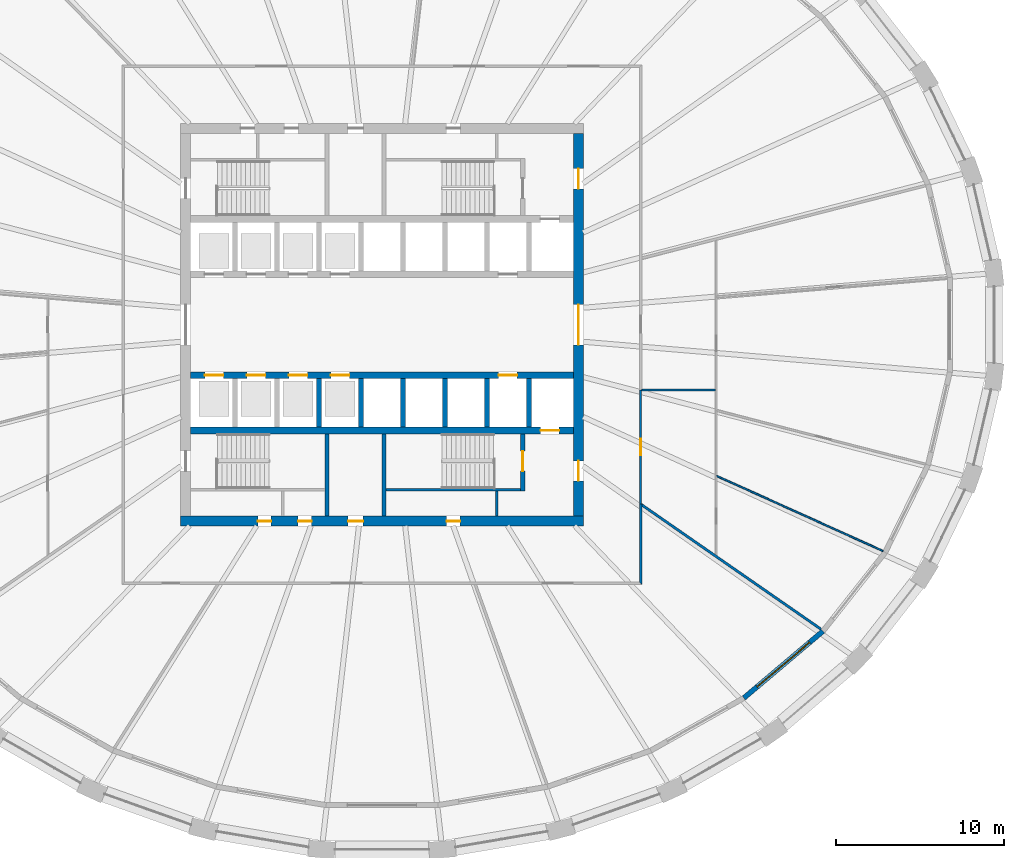
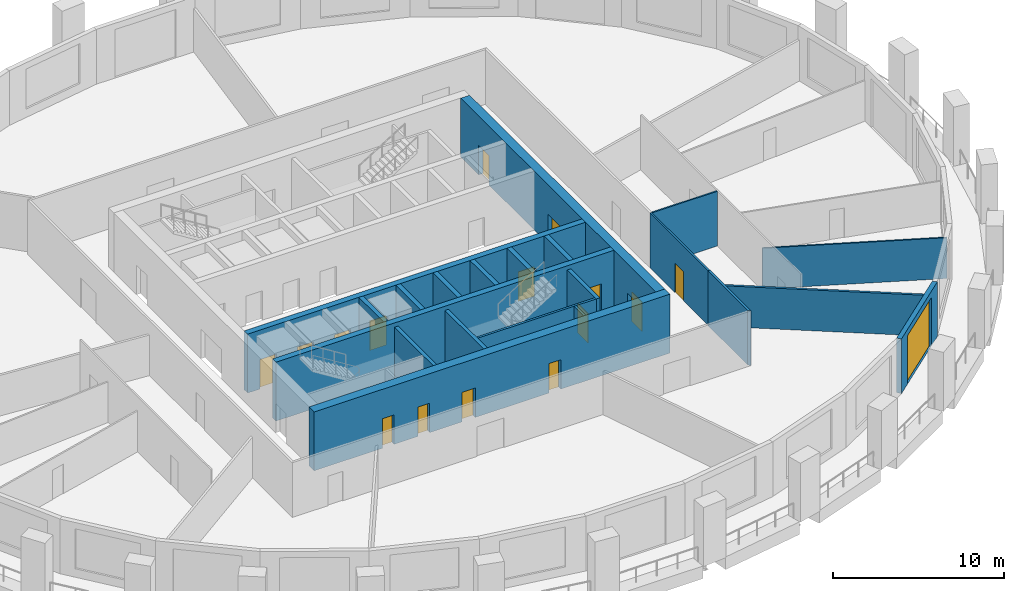
# One storey, part 4 of 11: 21 walls, 16 doors, 16 openings.
"""IFC4 building model written with IfcOpenShell, lengths in metres."""

from ifc_helpers import new_model, si_unit, direction, frame, frame_2d, origin, place, context, subcontext, project, spatial, polyline, rectangle, outline, extrude, material, layer, layer_set, type_object, element, fill, save


model = new_model("IFC4")

# Units and contexts
model_context = context("Model", 3, precision=1e-05, world=origin(), true_north=direction((0.0, 1.0)))
body_context = subcontext(model_context, "Body", "Model", "MODEL_VIEW")
ifc_project = project(units=[si_unit("LENGTHUNIT", "METRE"), si_unit("AREAUNIT", "SQUARE_METRE"), si_unit("VOLUMEUNIT", "CUBIC_METRE"), si_unit("PLANEANGLEUNIT", "RADIAN"), si_unit("MASSUNIT", "GRAM", prefix="KILO")], contexts=[model_context])

# Site, building, storey
site_placement = place(None, origin())
site = spatial("IfcSite", under=ifc_project, at=site_placement, CompositionType="ELEMENT")
building_placement = place(site_placement, origin())
building = spatial("IfcBuilding", under=site, at=building_placement, Name="Halqa Exchange Tower", CompositionType="ELEMENT")
storey_placement = place(building_placement, frame((0.0, 0.0, 73.89990234375)))
storey = spatial("IfcBuildingStorey", under=building, at=storey_placement, Name="L16", CompositionType="ELEMENT", Elevation=73.89990234375)

# Walls
ifc_material_1 = material(Name="Fire-rated gypsum board")
ifc_layer_1 = layer(ifc_material_1, 0.14990234375)
ifc_layer_set_1 = layer_set([ifc_layer_1], Name="Fire-rated gypsum board")
wall_type_1 = type_object("IfcWallType", Name="Fire partition EI 60 150", PredefinedType="PARTITIONING", material=ifc_layer_set_1)
wall_1_placement = place(storey_placement, frame((15.39990234375, -10.679931640625, 0.0), z_axis=(0.0, 0.0, 1.0), x_axis=(0.0, -1.0, 0.0)))
element("IfcWall", 1, at=wall_1_placement, inside=storey, type_object=wall_type_1, Name="L16-PWL-013", PredefinedType="PARTITIONING", context=body_context, shape_type="SweptSolid", body=[
    extrude(outline(polyline([(0.0, -0.074951171875), (1.54833984375, -0.074951171875), (3.0966796875, -0.074951171875), (4.64501953125, -0.074951171875), (4.794921875, 0.074951171875), (3.196533203125, 0.074951171875), (1.598388671875, 0.074951171875), (0.0, 0.074951171875), (0.0, -0.074951171875)])), origin(), (0.0, 0.0, 1.0), 3.900146484375),
])
wall_2_placement = place(storey_placement, frame((15.417724609375, -10.6923828125, 0.0), z_axis=(0.0, 0.0, 1.0), x_axis=(0.821683258501, -0.569944403166, 0.0)))
element("IfcWall", 2, at=wall_2_placement, inside=storey, type_object=wall_type_1, Name="L16-PWL-014", PredefinedType="PARTITIONING", context=body_context, shape_type="SweptSolid", body=[
    extrude(outline(polyline([(13.046875, 0.074951171875), (11.12158203125, 0.074951171875), (9.1962890625, 0.074951171875), (7.27099609375, 0.074951171875), (5.345703125, 0.074951171875), (5.34326171875, 0.0732421875), (5.342041015625, 0.074951171875), (3.5615234375, 0.074951171875), (1.78076171875, 0.074951171875), (0.0, 0.074951171875), (0.0, 0.07421875), (0.027587890625, 0.0341796875), (0.0400390625, 0.042724609375), (0.12158203125, -0.074951171875), (1.96826171875, -0.074951171875), (3.814697265625, -0.074951171875), (5.6611328125, -0.074951171875), (7.507568359375, -0.074951171875), (9.35400390625, -0.074951171875), (11.200439453125, -0.074951171875), (13.046875, -0.074951171875), (13.046875, 0.074951171875)])), origin(), (0.0, 0.0, 1.0), 2.91015625),
])

# Wall, opening, door
ifc_material_2 = material(Name="Fire-rated glazing", Category="glass")
ifc_layer_2 = layer(ifc_material_2, 0.1201171875)
ifc_layer_set_2 = layer_set([ifc_layer_2], Name="Fire-rated glazing")
wall_type_2 = type_object("IfcWallType", Name="Glazed fire partition EI 60 120", PredefinedType="PARTITIONING", material=ifc_layer_set_2)
wall_3_placement = place(storey_placement, frame((15.39990234375, -3.889892578125, 0.0), z_axis=(0.0, 0.0, 1.0), x_axis=(0.0, -1.0, 0.0)))
wall_3 = element("IfcWall", 3, at=wall_3_placement, inside=storey, type_object=wall_type_2, Name="L16-PWL-015", PredefinedType="PARTITIONING", context=body_context, shape_type="SweptSolid", body=[
    extrude(rectangle(XDim=6.7900390625, YDim=0.1201171875, at=frame_2d((3.39501953125, 0.0))), origin(), (0.0, 0.0, 1.0), 3.900146484375),
])
opening_1_placement = place(wall_3_placement, frame((2.89501953125, 0.0, 0.0)))
opening_1 = element("IfcOpeningElement", 4, at=opening_1_placement, cuts=wall_3, Name="Opening 05-05", PredefinedType="OPENING", context=body_context, shape_type="SweptSolid", body=[
    extrude(rectangle(XDim=1.0, YDim=2.10009765625, at=frame_2d((0.5, 1.050048828125))), frame((0.0, 0.072021484375, 0.0), z_axis=(0.0, -1.0, 0.0), x_axis=(1.0, 0.0, 0.0)), (0.0, 0.0, 1.0), 0.14404296875),
])
ifc_material_3 = material(Name="Steel fire door leaf", Category="steel")
door_type_1 = type_object("IfcDoorType", Name="Fire door FD30S 1000 x 2100", OperationType="SINGLE_SWING_LEFT", PredefinedType="DOOR", material=ifc_material_3)
door_1_placement = place(opening_1_placement, origin())
door_1 = element("IfcDoor", 5, at=door_1_placement, inside=storey, type_object=door_type_1, Name="L16-IDR-005", OperationType="SINGLE_SWING_LEFT", OverallHeight=2.10009765625, OverallWidth=1.0, PredefinedType="DOOR", context=body_context, shape_type="SweptSolid", body=[
    extrude(rectangle(XDim=1.0, YDim=2.10009765625, at=frame_2d((0.5, 1.050048828125))), frame((0.0, 0.02490234375, 0.0), z_axis=(0.0, -1.0, 0.0), x_axis=(1.0, 0.0, 0.0)), (0.0, 0.0, 1.0), 0.050048828125),
])
fill(opening_1, door_1)

# Walls
ifc_material_4 = material(Name="Gypsum board")
ifc_layer_3 = layer(ifc_material_4, 0.10009765625)
ifc_layer_set_3 = layer_set([ifc_layer_3], Name="Gypsum board")
wall_type_3 = type_object("IfcWallType", Name="Partition 100 gypsum", PredefinedType="PARTITIONING", material=ifc_layer_set_3)
wall_4_placement = place(storey_placement, frame((15.46044921875, -3.889892578125, 0.0), z_axis=(0.0, 0.0, 1.0), x_axis=(1.0, 0.0, 0.0)))
element("IfcWall", 6, at=wall_4_placement, inside=storey, type_object=wall_type_3, Name="L16-PWL-017", PredefinedType="PARTITIONING", context=body_context, shape_type="SweptSolid", body=[
    extrude(outline(polyline([(0.0, -0.050048828125), (1.463134765625, -0.050048828125), (2.92626953125, -0.050048828125), (4.3896484375, -0.050048828125), (4.3896484375, 0.050048828125), (2.93115234375, 0.050048828125), (1.472900390625, 0.050048828125), (0.0146484375, 0.050048828125), (0.0146484375, 0.0), (0.0, 0.0), (0.0, -0.050048828125)])), origin(), (0.0, 0.0, 1.0), 3.900146484375),
])
wall_5_placement = place(storey_placement, frame((19.9296875, -9.00341796875, 0.0), z_axis=(0.0, 0.0, 1.0), x_axis=(0.911407001064, -0.41150610981, 0.0)))
element("IfcWall", 7, at=wall_5_placement, inside=storey, type_object=wall_type_3, Name="L16-PWL-020", PredefinedType="PARTITIONING", context=body_context, shape_type="SweptSolid", body=[
    extrude(outline(polyline([(0.044921875, -0.050048828125), (1.847412109375, -0.050048828125), (3.650146484375, -0.050048828125), (5.45263671875, -0.050048828125), (7.25537109375, -0.050048828125), (9.057861328125, -0.050048828125), (10.860595703125, -0.050048828125), (10.8720703125, -0.004150390625), (10.873779296875, 0.050048828125), (9.0615234375, 0.050048828125), (7.249267578125, 0.050048828125), (5.436767578125, 0.050048828125), (3.62451171875, 0.050048828125), (1.812255859375, 0.050048828125), (0.0, 0.050048828125), (0.0, 0.04931640625), (0.044921875, -0.050048828125)])), origin(), (0.0, 0.0, 1.0), 2.91015625),
])
ifc_layer_4 = layer(ifc_material_4, 0.14990234375)
ifc_layer_set_4 = layer_set([ifc_layer_4], Name="Gypsum board")
wall_type_4 = type_object("IfcWallType", Name="Penthouse riser wall 150 gypsum", PredefinedType="PARTITIONING", material=ifc_layer_set_4)
wall_6_placement = place(storey_placement, frame((6.824951171875, -11.39990234375, 0.0), z_axis=(0.0, 0.0, 1.0), x_axis=(0.0, 1.0, 0.0)))
element("IfcWall", 8, at=wall_6_placement, inside=storey, type_object=wall_type_4, Name="Firefighting lobby west wall S", PredefinedType="PARTITIONING", context=body_context, shape_type="SweptSolid", body=[
    extrude(rectangle(XDim=1.5, YDim=0.14990234375, at=frame_2d((0.75, 0.0))), origin(), (0.0, 0.0, 1.0), 3.900146484375),
])
ifc_material_5 = material(Name="Concrete C60/75", Category="concrete")
ifc_layer_5 = layer(ifc_material_5, 0.300048828125)
ifc_layer_set_5 = layer_set([ifc_layer_5], Name="Concrete C60/75")
wall_type_5 = type_object("IfcWallType", Name="RC core wall 300", PredefinedType="SHEAR", material=ifc_layer_set_5)
for number, where, z_axis, x_axis, name in (
    (9, (-3.75, -6.10009765625, 0.0), (0.0, 0.0, 1.0), (0.0, 1.0, 0.0), "Shaft divider S3"),
    (10, (-1.25, -6.10009765625, 0.0), (0.0, 0.0, 1.0), (0.0, 1.0, 0.0), "Shaft divider S4"),
    (11, (1.25, -6.10009765625, 0.0), (0.0, 0.0, 1.0), (0.0, 1.0, 0.0), "Shaft divider S5"),
    (12, (3.75, -6.10009765625, 0.0), (0.0, 0.0, 1.0), (0.0, 1.0, 0.0), "Shaft divider S6"),
    (13, (6.25, -6.10009765625, 0.0), (0.0, 0.0, 1.0), (0.0, 1.0, 0.0), "Shaft divider S7"),
    (14, (8.75, -6.10009765625, 0.0), (0.0, 0.0, 1.0), (0.0, 1.0, 0.0), "Shaft divider S8"),
):
    element("IfcWall", number, at=place(storey_placement, frame(where, z_axis=z_axis, x_axis=x_axis)), inside=storey, type_object=wall_type_5, Name=name, PredefinedType="SHEAR", context=body_context, shape_type="SweptSolid", body=[
        extrude(rectangle(XDim=2.900146484375, YDim=0.300048828125, at=frame_2d((1.4501953125, 0.0))), origin(), (0.0, 0.0, 1.0), 4.2001953125),
    ])

# Wall, openings, doors
ifc_material_6 = material(Name="Concrete C80/95", Category="concrete")
ifc_layer_6 = layer(ifc_material_6, 0.39990234375)
ifc_layer_set_6 = layer_set([ifc_layer_6], Name="Concrete C80/95")
wall_type_6 = type_object("IfcWallType", Name="RC core wall 400 C80/95", PredefinedType="SHEAR", material=ifc_layer_set_6)
wall_7_placement = place(storey_placement, frame((-11.39990234375, -3.0, 0.0), z_axis=(0.0, 0.0, 1.0), x_axis=(1.0, 0.0, 0.0)))
wall_7 = element("IfcWall", 15, at=wall_7_placement, inside=storey, type_object=wall_type_6, Name="Lift row front wall S", PredefinedType="SHEAR", context=body_context, shape_type="SweptSolid", body=[
    extrude(rectangle(XDim=22.7998046875, YDim=0.39990234375, at=frame_2d((11.39990234375, 0.0))), origin(), (0.0, 0.0, 1.0), 4.2001953125),
])
opening_2_placement = place(wall_7_placement, frame((0.85009765625, 0.0, 0.0)))
opening_2 = element("IfcOpeningElement", 16, at=opening_2_placement, cuts=wall_7, Name="Opening LD-LR5-T05", PredefinedType="OPENING", context=body_context, shape_type="SweptSolid", body=[
    extrude(rectangle(XDim=1.10009765625, YDim=2.10009765625, at=frame_2d((0.550048828125, 1.050048828125))), frame((0.0, 0.2119140625, 0.0), z_axis=(0.0, -1.0, 0.0), x_axis=(1.0, 0.0, 0.0)), (0.0, 0.0, 1.0), 0.423828125),
])
opening_3_placement = place(wall_7_placement, frame((3.35009765625, 0.0, 0.0)))
opening_3 = element("IfcOpeningElement", 17, at=opening_3_placement, cuts=wall_7, Name="Opening LD-LR6-T05", PredefinedType="OPENING", context=body_context, shape_type="SweptSolid", body=[
    extrude(rectangle(XDim=1.10009765625, YDim=2.10009765625, at=frame_2d((0.550048828125, 1.050048828125))), frame((0.0, 0.2119140625, 0.0), z_axis=(0.0, -1.0, 0.0), x_axis=(1.0, 0.0, 0.0)), (0.0, 0.0, 1.0), 0.423828125),
])
opening_4_placement = place(wall_7_placement, frame((5.85009765625, 0.0, 0.0)))
opening_4 = element("IfcOpeningElement", 18, at=opening_4_placement, cuts=wall_7, Name="Opening LD-LR7-T05", PredefinedType="OPENING", context=body_context, shape_type="SweptSolid", body=[
    extrude(rectangle(XDim=1.10009765625, YDim=2.10009765625, at=frame_2d((0.550048828125, 1.050048828125))), frame((0.0, 0.2119140625, 0.0), z_axis=(0.0, -1.0, 0.0), x_axis=(1.0, 0.0, 0.0)), (0.0, 0.0, 1.0), 0.423828125),
])
opening_5_placement = place(wall_7_placement, frame((8.35009765625, 0.0, 0.0)))
opening_5 = element("IfcOpeningElement", 19, at=opening_5_placement, cuts=wall_7, Name="Opening LD-LR8-T05", PredefinedType="OPENING", context=body_context, shape_type="SweptSolid", body=[
    extrude(rectangle(XDim=1.10009765625, YDim=2.10009765625, at=frame_2d((0.550048828125, 1.050048828125))), frame((0.0, 0.2119140625, 0.0), z_axis=(0.0, -1.0, 0.0), x_axis=(1.0, 0.0, 0.0)), (0.0, 0.0, 1.0), 0.423828125),
])
opening_6_placement = place(wall_7_placement, frame((18.35009765625, 0.0, 0.0)))
opening_6 = element("IfcOpeningElement", 20, at=opening_6_placement, cuts=wall_7, Name="Opening LD-SV2-T05", PredefinedType="OPENING", context=body_context, shape_type="SweptSolid", body=[
    extrude(rectangle(XDim=1.10009765625, YDim=2.10009765625, at=frame_2d((0.550048828125, 1.050048828125))), frame((0.0, 0.2119140625, 0.0), z_axis=(0.0, -1.0, 0.0), x_axis=(1.0, 0.0, 0.0)), (0.0, 0.0, 1.0), 0.423828125),
])
ifc_material_7 = material(Name="Stainless steel", Category="steel")
door_type_2 = type_object("IfcDoorType", Name="Lift landing door 1100 x 2100", OperationType="SLIDING_TO_LEFT", PredefinedType="DOOR", material=ifc_material_7)
door_2_placement = place(opening_2_placement, origin())
door_2 = element("IfcDoor", 21, at=door_2_placement, inside=storey, type_object=door_type_2, Name="Lift landing door LR5", OperationType="SLIDING_TO_LEFT", OverallHeight=2.10009765625, OverallWidth=1.10009765625, PredefinedType="DOOR", context=body_context, shape_type="SweptSolid", body=[
    extrude(rectangle(XDim=1.10009765625, YDim=2.10009765625, at=frame_2d((0.550048828125, 1.050048828125))), frame((0.0, 0.02490234375, 0.0), z_axis=(0.0, -1.0, 0.0), x_axis=(1.0, 0.0, 0.0)), (0.0, 0.0, 1.0), 0.050048828125),
])
fill(opening_2, door_2)
door_3_placement = place(opening_3_placement, origin())
door_3 = element("IfcDoor", 22, at=door_3_placement, inside=storey, type_object=door_type_2, Name="Lift landing door LR6", OperationType="SLIDING_TO_LEFT", OverallHeight=2.10009765625, OverallWidth=1.10009765625, PredefinedType="DOOR", context=body_context, shape_type="SweptSolid", body=[
    extrude(rectangle(XDim=1.10009765625, YDim=2.10009765625, at=frame_2d((0.550048828125, 1.050048828125))), frame((0.0, 0.02490234375, 0.0), z_axis=(0.0, -1.0, 0.0), x_axis=(1.0, 0.0, 0.0)), (0.0, 0.0, 1.0), 0.050048828125),
])
fill(opening_3, door_3)
door_4_placement = place(opening_4_placement, origin())
door_4 = element("IfcDoor", 23, at=door_4_placement, inside=storey, type_object=door_type_2, Name="Lift landing door LR7", OperationType="SLIDING_TO_LEFT", OverallHeight=2.10009765625, OverallWidth=1.10009765625, PredefinedType="DOOR", context=body_context, shape_type="SweptSolid", body=[
    extrude(rectangle(XDim=1.10009765625, YDim=2.10009765625, at=frame_2d((0.550048828125, 1.050048828125))), frame((0.0, 0.02490234375, 0.0), z_axis=(0.0, -1.0, 0.0), x_axis=(1.0, 0.0, 0.0)), (0.0, 0.0, 1.0), 0.050048828125),
])
fill(opening_4, door_4)
door_5_placement = place(opening_5_placement, origin())
door_5 = element("IfcDoor", 24, at=door_5_placement, inside=storey, type_object=door_type_2, Name="Lift landing door LR8", OperationType="SLIDING_TO_LEFT", OverallHeight=2.10009765625, OverallWidth=1.10009765625, PredefinedType="DOOR", context=body_context, shape_type="SweptSolid", body=[
    extrude(rectangle(XDim=1.10009765625, YDim=2.10009765625, at=frame_2d((0.550048828125, 1.050048828125))), frame((0.0, 0.02490234375, 0.0), z_axis=(0.0, -1.0, 0.0), x_axis=(1.0, 0.0, 0.0)), (0.0, 0.0, 1.0), 0.050048828125),
])
fill(opening_5, door_5)
door_6_placement = place(opening_6_placement, origin())
door_6 = element("IfcDoor", 25, at=door_6_placement, inside=storey, type_object=door_type_2, Name="Lift landing door SV2", OperationType="SLIDING_TO_LEFT", OverallHeight=2.10009765625, OverallWidth=1.10009765625, PredefinedType="DOOR", context=body_context, shape_type="SweptSolid", body=[
    extrude(rectangle(XDim=1.10009765625, YDim=2.10009765625, at=frame_2d((0.550048828125, 1.050048828125))), frame((0.0, 0.02490234375, 0.0), z_axis=(0.0, -1.0, 0.0), x_axis=(1.0, 0.0, 0.0)), (0.0, 0.0, 1.0), 0.050048828125),
])
fill(opening_6, door_6)

# Wall, opening, door
wall_8_placement = place(storey_placement, frame((-11.39990234375, -6.300048828125, 0.0), z_axis=(0.0, 0.0, 1.0), x_axis=(1.0, 0.0, 0.0)))
wall_8 = element("IfcWall", 26, at=wall_8_placement, inside=storey, type_object=wall_type_6, Name="Lift row back wall S", PredefinedType="SHEAR", context=body_context, shape_type="SweptSolid", body=[
    extrude(rectangle(XDim=22.7998046875, YDim=0.39990234375, at=frame_2d((11.39990234375, 0.0))), origin(), (0.0, 0.0, 1.0), 4.2001953125),
])
opening_7_placement = place(wall_8_placement, frame((20.85009765625, 0.0, 0.0)))
opening_7 = element("IfcOpeningElement", 27, at=opening_7_placement, cuts=wall_8, Name="Opening LD-FF2-T05", PredefinedType="OPENING", context=body_context, shape_type="SweptSolid", body=[
    extrude(rectangle(XDim=1.10009765625, YDim=2.10009765625, at=frame_2d((0.550048828125, 1.050048828125))), frame((0.0, 0.2119140625, 0.0), z_axis=(0.0, -1.0, 0.0), x_axis=(1.0, 0.0, 0.0)), (0.0, 0.0, 1.0), 0.423828125),
])
door_7_placement = place(opening_7_placement, origin())
door_7 = element("IfcDoor", 28, at=door_7_placement, inside=storey, type_object=door_type_2, Name="Lift landing door FF2", OperationType="SLIDING_TO_LEFT", OverallHeight=2.10009765625, OverallWidth=1.10009765625, PredefinedType="DOOR", context=body_context, shape_type="SweptSolid", body=[
    extrude(rectangle(XDim=1.10009765625, YDim=2.10009765625, at=frame_2d((0.550048828125, 1.050048828125))), frame((0.0, 0.02490234375, 0.0), z_axis=(0.0, -1.0, 0.0), x_axis=(1.0, 0.0, 0.0)), (0.0, 0.0, 1.0), 0.050048828125),
])
fill(opening_7, door_7)

# Wall, openings, doors
ifc_layer_7 = layer(ifc_material_6, 0.60009765625)
ifc_layer_set_7 = layer_set([ifc_layer_7], Name="Concrete C80/95")
wall_type_7 = type_object("IfcWallType", Name="RC core wall 600 C80/95", PredefinedType="SHEAR", material=ifc_layer_set_7)
wall_9_placement = place(storey_placement, frame((-12.0, -11.699951171875, 0.0), z_axis=(0.0, 0.0, 1.0), x_axis=(1.0, 0.0, 0.0)))
wall_9 = element("IfcWall", 29, at=wall_9_placement, inside=storey, type_object=wall_type_7, Name="Core wall south", PredefinedType="SHEAR", context=body_context, shape_type="SweptSolid", body=[
    extrude(rectangle(XDim=24.0, YDim=0.60009765625, at=frame_2d((12.0, 0.0))), origin(), (0.0, 0.0, 1.0), 4.2001953125),
])
opening_8_placement = place(wall_9_placement, frame((9.97509765625, 0.0, 0.0)))
opening_8 = element("IfcOpeningElement", 30, at=opening_8_placement, cuts=wall_9, Name="Opening T05-C25", PredefinedType="OPENING", context=body_context, shape_type="SweptSolid", body=[
    extrude(rectangle(XDim=0.89990234375, YDim=2.10009765625, at=frame_2d((0.449951171875, 1.050048828125))), frame((0.0, 0.31201171875, 0.0), z_axis=(0.0, -1.0, 0.0), x_axis=(1.0, 0.0, 0.0)), (0.0, 0.0, 1.0), 0.6240234375),
])
opening_9_placement = place(wall_9_placement, frame((4.60009765625, 0.0, 0.0)))
opening_9 = element("IfcOpeningElement", 31, at=opening_9_placement, cuts=wall_9, Name="Opening T05-C26", PredefinedType="OPENING", context=body_context, shape_type="SweptSolid", body=[
    extrude(rectangle(XDim=0.800048828125, YDim=2.10009765625, at=frame_2d((0.39990234375, 1.050048828125))), frame((0.0, 0.31201171875, 0.0), z_axis=(0.0, -1.0, 0.0), x_axis=(1.0, 0.0, 0.0)), (0.0, 0.0, 1.0), 0.6240234375),
])
opening_10_placement = place(wall_9_placement, frame((7.0, 0.0, 0.0)))
opening_10 = element("IfcOpeningElement", 32, at=opening_10_placement, cuts=wall_9, Name="Opening T05-C27", PredefinedType="OPENING", context=body_context, shape_type="SweptSolid", body=[
    extrude(rectangle(XDim=0.800048828125, YDim=2.10009765625, at=frame_2d((0.39990234375, 1.050048828125))), frame((0.0, 0.31201171875, 0.0), z_axis=(0.0, -1.0, 0.0), x_axis=(1.0, 0.0, 0.0)), (0.0, 0.0, 1.0), 0.6240234375),
])
opening_11_placement = place(wall_9_placement, frame((15.85009765625, 0.0, 0.0)))
opening_11 = element("IfcOpeningElement", 33, at=opening_11_placement, cuts=wall_9, Name="Opening T05-C28", PredefinedType="OPENING", context=body_context, shape_type="SweptSolid", body=[
    extrude(rectangle(XDim=0.800048828125, YDim=2.10009765625, at=frame_2d((0.39990234375, 1.050048828125))), frame((0.0, 0.31201171875, 0.0), z_axis=(0.0, -1.0, 0.0), x_axis=(1.0, 0.0, 0.0)), (0.0, 0.0, 1.0), 0.6240234375),
])
ifc_material_8 = material(Name="Timber fire door leaf", Category="wood")
door_type_3 = type_object("IfcDoorType", Name="Core room door FD30 900 x 2100", OperationType="SINGLE_SWING_LEFT", PredefinedType="DOOR", material=ifc_material_8)
door_8_placement = place(opening_8_placement, origin())
door_8 = element("IfcDoor", 34, at=door_8_placement, inside=storey, type_object=door_type_3, Name="Core room door", OperationType="SINGLE_SWING_LEFT", OverallHeight=2.10009765625, OverallWidth=0.89990234375, PredefinedType="DOOR", context=body_context, shape_type="SweptSolid", body=[
    extrude(rectangle(XDim=0.89990234375, YDim=2.10009765625, at=frame_2d((0.449951171875, 1.050048828125))), frame((0.0, 0.02490234375, 0.0), z_axis=(0.0, -1.0, 0.0), x_axis=(1.0, 0.0, 0.0)), (0.0, 0.0, 1.0), 0.050048828125),
])
fill(opening_8, door_8)
door_type_4 = type_object("IfcDoorType", Name="Riser door FD60 800 x 2100", OperationType="SINGLE_SWING_LEFT", PredefinedType="DOOR", material=ifc_material_3)
door_9_placement = place(opening_9_placement, origin())
door_9 = element("IfcDoor", 35, at=door_9_placement, inside=storey, type_object=door_type_4, Name="Core room door", OperationType="SINGLE_SWING_LEFT", OverallHeight=2.10009765625, OverallWidth=0.800048828125, PredefinedType="DOOR", context=body_context, shape_type="SweptSolid", body=[
    extrude(rectangle(XDim=0.800048828125, YDim=2.10009765625, at=frame_2d((0.39990234375, 1.050048828125))), frame((0.0, 0.02490234375, 0.0), z_axis=(0.0, -1.0, 0.0), x_axis=(1.0, 0.0, 0.0)), (0.0, 0.0, 1.0), 0.050048828125),
])
fill(opening_9, door_9)
door_10_placement = place(opening_10_placement, origin())
door_10 = element("IfcDoor", 36, at=door_10_placement, inside=storey, type_object=door_type_4, Name="Core room door", OperationType="SINGLE_SWING_LEFT", OverallHeight=2.10009765625, OverallWidth=0.800048828125, PredefinedType="DOOR", context=body_context, shape_type="SweptSolid", body=[
    extrude(rectangle(XDim=0.800048828125, YDim=2.10009765625, at=frame_2d((0.39990234375, 1.050048828125))), frame((0.0, 0.02490234375, 0.0), z_axis=(0.0, -1.0, 0.0), x_axis=(1.0, 0.0, 0.0)), (0.0, 0.0, 1.0), 0.050048828125),
])
fill(opening_10, door_10)
door_11_placement = place(opening_11_placement, origin())
door_11 = element("IfcDoor", 37, at=door_11_placement, inside=storey, type_object=door_type_4, Name="Core room door", OperationType="SINGLE_SWING_LEFT", OverallHeight=2.10009765625, OverallWidth=0.800048828125, PredefinedType="DOOR", context=body_context, shape_type="SweptSolid", body=[
    extrude(rectangle(XDim=0.800048828125, YDim=2.10009765625, at=frame_2d((0.39990234375, 1.050048828125))), frame((0.0, 0.02490234375, 0.0), z_axis=(0.0, -1.0, 0.0), x_axis=(1.0, 0.0, 0.0)), (0.0, 0.0, 1.0), 0.050048828125),
])
fill(opening_11, door_11)

wall_10_placement = place(storey_placement, frame((11.699951171875, -11.39990234375, 0.0), z_axis=(0.0, 0.0, 1.0), x_axis=(0.0, 1.0, 0.0)))
wall_10 = element("IfcWall", 38, at=wall_10_placement, inside=storey, type_object=wall_type_7, Name="Core wall east", PredefinedType="SHEAR", context=body_context, shape_type="SweptSolid", body=[
    extrude(rectangle(XDim=22.7998046875, YDim=0.60009765625, at=frame_2d((11.39990234375, 0.0))), origin(), (0.0, 0.0, 1.0), 4.2001953125),
])
opening_12_placement = place(wall_10_placement, frame((10.199951171875, 0.0, 0.0)))
opening_12 = element("IfcOpeningElement", 39, at=opening_12_placement, cuts=wall_10, Name="Opening T05-C14", PredefinedType="OPENING", context=body_context, shape_type="SweptSolid", body=[
    extrude(rectangle(XDim=2.39990234375, YDim=2.10009765625, at=frame_2d((1.199951171875, 1.050048828125))), frame((0.0, 0.31201171875, 0.0), z_axis=(0.0, -1.0, 0.0), x_axis=(1.0, 0.0, 0.0)), (0.0, 0.0, 1.0), 0.6240234375),
])
opening_13_placement = place(wall_10_placement, frame((19.5, 0.0, 0.0)))
opening_13 = element("IfcOpeningElement", 40, at=opening_13_placement, cuts=wall_10, Name="Opening T05-C19", PredefinedType="OPENING", context=body_context, shape_type="SweptSolid", body=[
    extrude(rectangle(XDim=1.199951171875, YDim=2.10009765625, at=frame_2d((0.60009765625, 1.050048828125))), frame((0.0, 0.31201171875, 0.0), z_axis=(0.0, -1.0, 0.0), x_axis=(1.0, 0.0, 0.0)), (0.0, 0.0, 1.0), 0.6240234375),
])
opening_14_placement = place(wall_10_placement, frame((2.10009765625, 0.0, 0.0)))
opening_14 = element("IfcOpeningElement", 41, at=opening_14_placement, cuts=wall_10, Name="Opening T05-C20", PredefinedType="OPENING", context=body_context, shape_type="SweptSolid", body=[
    extrude(rectangle(XDim=1.199951171875, YDim=2.10009765625, at=frame_2d((0.60009765625, 1.050048828125))), frame((0.0, 0.31201171875, 0.0), z_axis=(0.0, -1.0, 0.0), x_axis=(1.0, 0.0, 0.0)), (0.0, 0.0, 1.0), 0.6240234375),
])
door_type_5 = type_object("IfcDoorType", Name="Firefighting lobby door FD90 1200 x 2100", OperationType="SINGLE_SWING_RIGHT", PredefinedType="DOOR", material=ifc_material_3)
door_12_placement = place(opening_13_placement, origin())
door_12 = element("IfcDoor", 42, at=door_12_placement, inside=storey, type_object=door_type_5, Name="Firefighting lobby door", OperationType="SINGLE_SWING_RIGHT", OverallHeight=2.10009765625, OverallWidth=1.199951171875, PredefinedType="DOOR", context=body_context, shape_type="SweptSolid", body=[
    extrude(rectangle(XDim=1.199951171875, YDim=2.10009765625, at=frame_2d((0.60009765625, 1.050048828125))), frame((0.0, 0.02490234375, 0.0), z_axis=(0.0, -1.0, 0.0), x_axis=(1.0, 0.0, 0.0)), (0.0, 0.0, 1.0), 0.050048828125),
])
fill(opening_13, door_12)
door_13_placement = place(opening_14_placement, origin())
door_13 = element("IfcDoor", 43, at=door_13_placement, inside=storey, type_object=door_type_5, Name="Firefighting lobby door", OperationType="SINGLE_SWING_LEFT", OverallHeight=2.10009765625, OverallWidth=1.199951171875, PredefinedType="DOOR", context=body_context, shape_type="SweptSolid", body=[
    extrude(rectangle(XDim=1.199951171875, YDim=2.10009765625, at=frame_2d((0.60009765625, 1.050048828125))), frame((0.0, 0.02490234375, 0.0), z_axis=(0.0, -1.0, 0.0), x_axis=(1.0, 0.0, 0.0)), (0.0, 0.0, 1.0), 0.050048828125),
])
fill(opening_14, door_13)
door_type_6 = type_object("IfcDoorType", Name="Lobby double door FD60 2400 x 2100", OperationType="DOUBLE_DOOR_SINGLE_SWING", PredefinedType="DOOR", material=ifc_material_3)
door_14_placement = place(opening_12_placement, origin())
door_14 = element("IfcDoor", 44, at=door_14_placement, inside=storey, type_object=door_type_6, Name="Lift lobby double door", OperationType="DOUBLE_DOOR_SINGLE_SWING", OverallHeight=2.10009765625, OverallWidth=2.39990234375, PredefinedType="DOOR", context=body_context, shape_type="SweptSolid", body=[
    extrude(rectangle(XDim=2.39990234375, YDim=2.10009765625, at=frame_2d((1.199951171875, 1.050048828125))), frame((0.0, 0.02490234375, 0.0), z_axis=(0.0, -1.0, 0.0), x_axis=(1.0, 0.0, 0.0)), (0.0, 0.0, 1.0), 0.050048828125),
])
fill(opening_12, door_14)

# Walls
ifc_material_9 = material(Name="Concrete C30/37", Category="concrete")
ifc_layer_8 = layer(ifc_material_9, 0.14990234375)
ifc_layer_set_8 = layer_set([ifc_layer_8], Name="Concrete C30/37")
wall_type_8 = type_object("IfcWallType", Name="RC stair wall 150 C30/37", PredefinedType="SHEAR", material=ifc_layer_set_8)
wall_11_placement = place(storey_placement, frame((0.25, -9.824951171875, 0.0), z_axis=(0.0, 0.0, 1.0), x_axis=(1.0, 0.0, 0.0)))
element("IfcWall", 45, at=wall_11_placement, inside=storey, type_object=wall_type_8, Name="Stair ST2 north wall S", PredefinedType="SHEAR", context=body_context, shape_type="SweptSolid", body=[
    extrude(rectangle(XDim=8.0, YDim=0.14990234375, at=frame_2d((4.0, 0.0))), origin(), (0.0, 0.0, 1.0), 3.900146484375),
])
ifc_layer_9 = layer(ifc_material_9, 0.25)
ifc_layer_set_9 = layer_set([ifc_layer_9], Name="Concrete C30/37")
wall_type_9 = type_object("IfcWallType", Name="RC stair wall 250 C30/37", PredefinedType="SHEAR", material=ifc_layer_set_9)
for number, where, z_axis, x_axis, name in (
    (46, (-3.27490234375, -11.39990234375, 0.0), (0.0, 0.0, 1.0), (0.0, 1.0, 0.0), "Stair ST1 east wall S"),
    (47, (0.125, -11.39990234375, 0.0), (0.0, 0.0, 1.0), (0.0, 1.0, 0.0), "Stair ST2 west wall S"),
):
    element("IfcWall", number, at=place(storey_placement, frame(where, z_axis=z_axis, x_axis=x_axis)), inside=storey, type_object=wall_type_9, Name=name, PredefinedType="SHEAR", context=body_context, shape_type="SweptSolid", body=[
        extrude(rectangle(XDim=4.89990234375, YDim=0.25, at=frame_2d((2.449951171875, 0.0))), origin(), (0.0, 0.0, 1.0), 3.900146484375),
    ])

# Wall, opening, door
wall_12_placement = place(storey_placement, frame((8.375, -9.89990234375, 0.0), z_axis=(0.0, 0.0, 1.0), x_axis=(0.0, 1.0, 0.0)))
wall_12 = element("IfcWall", 48, at=wall_12_placement, inside=storey, type_object=wall_type_9, Name="Stair ST2 east wall S", PredefinedType="SHEAR", context=body_context, shape_type="SweptSolid", body=[
    extrude(rectangle(XDim=3.39990234375, YDim=0.25, at=frame_2d((1.699951171875, 0.0))), origin(), (0.0, 0.0, 1.0), 3.900146484375),
])
opening_15_placement = place(wall_12_placement, frame((1.175048828125, 0.0, 0.0)))
opening_15 = element("IfcOpeningElement", 49, at=opening_15_placement, cuts=wall_12, Name="Opening T05-C18", PredefinedType="OPENING", context=body_context, shape_type="SweptSolid", body=[
    extrude(rectangle(XDim=1.199951171875, YDim=2.10009765625, at=frame_2d((0.60009765625, 1.050048828125))), frame((0.0, 0.136962890625, 0.0), z_axis=(0.0, -1.0, 0.0), x_axis=(1.0, 0.0, 0.0)), (0.0, 0.0, 1.0), 0.27392578125),
])
door_type_7 = type_object("IfcDoorType", Name="Stair door FD90 1200 x 2100", OperationType="SINGLE_SWING_LEFT", PredefinedType="DOOR", material=ifc_material_3)
door_15_placement = place(opening_15_placement, origin())
door_15 = element("IfcDoor", 50, at=door_15_placement, inside=storey, type_object=door_type_7, Name="Stair door ST4", OperationType="SINGLE_SWING_LEFT", OverallHeight=2.10009765625, OverallWidth=1.199951171875, PredefinedType="DOOR", context=body_context, shape_type="SweptSolid", body=[
    extrude(rectangle(XDim=1.199951171875, YDim=2.10009765625, at=frame_2d((0.60009765625, 1.050048828125))), frame((0.0, 0.02490234375, 0.0), z_axis=(0.0, -1.0, 0.0), x_axis=(1.0, 0.0, 0.0)), (0.0, 0.0, 1.0), 0.050048828125),
])
fill(opening_15, door_15)

ifc_material_10 = material(Name="Limestone cladding", Category="masonry")
ifc_layer_10 = layer(ifc_material_10, 0.0400390625)
ifc_material_11 = material(Name="Ventilated cavity")
ifc_layer_11 = layer(ifc_material_11, 0.030029296875, ventilated=True)
ifc_material_12 = material(Name="Mineral wool insulation")
ifc_layer_12 = layer(ifc_material_12, 0.10009765625)
ifc_layer_13 = layer(ifc_material_9, 0.10009765625)
ifc_material_13 = material(Name="Internal plaster")
ifc_layer_14 = layer(ifc_material_13, 0.030029296875)
ifc_layer_set_10 = layer_set([ifc_layer_10, ifc_layer_11, ifc_layer_12, ifc_layer_13, ifc_layer_14], Name="Stone-faced insulated wall 300")
wall_type_10 = type_object("IfcWallType", Name="Stone-faced insulated wall 300", PredefinedType="STANDARD", material=ifc_layer_set_10)
wall_13_placement = place(storey_placement, frame((21.548583984375, -22.230712890625, 0.0), z_axis=(0.0, 0.0, 1.0), x_axis=(0.763693886759, 0.645578536916, 0.0)))
wall_13 = element("IfcWall", 51, at=wall_13_placement, inside=storey, type_object=wall_type_10, Name="Glass-line wall 28", PredefinedType="STANDARD", context=body_context, shape_type="SweptSolid", body=[
    extrude(outline(polyline([(-0.01416015625, -0.14990234375), (6.18505859375, -0.14990234375), (6.15478515625, 0.14990234375), (0.01416015625, 0.14990234375), (-0.01416015625, -0.14990234375)])), origin(), (0.0, 0.0, 1.0), 3.900146484375),
])
opening_16_placement = place(wall_13_placement, frame((1.034912109375, 0.0, 0.0)))
opening_16 = element("IfcOpeningElement", 52, at=opening_16_placement, cuts=wall_13, Name="Opening LG-F1-07", PredefinedType="OPENING", context=body_context, shape_type="SweptSolid", body=[
    extrude(rectangle(XDim=4.10009765625, YDim=3.449951171875, at=frame_2d((2.050048828125, 1.72509765625))), frame((0.0, 0.162109375, 0.0), z_axis=(0.0, -1.0, 0.0), x_axis=(1.0, 0.0, 0.0)), (0.0, 0.0, 1.0), 0.323974609375),
])
ifc_material_14 = material(Name="Clear low-emissivity glass in aluminium frame", Category="aluminium")
door_type_8 = type_object("IfcDoorType", Name="Glazed sliding loggia door 4100 x 3450", OperationType="DOUBLE_DOOR_SLIDING", PredefinedType="DOOR", material=ifc_material_14)
door_16_placement = place(opening_16_placement, origin())
door_16 = element("IfcDoor", 53, at=door_16_placement, inside=storey, type_object=door_type_8, Name="Loggia door 7", OperationType="DOUBLE_DOOR_SLIDING", OverallHeight=3.449951171875, OverallWidth=4.10009765625, PredefinedType="DOOR", context=body_context, shape_type="SweptSolid", body=[
    extrude(rectangle(XDim=4.10009765625, YDim=3.449951171875, at=frame_2d((2.050048828125, 1.72509765625))), frame((0.0, 0.02490234375, 0.0), z_axis=(0.0, -1.0, 0.0), x_axis=(1.0, 0.0, 0.0)), (0.0, 0.0, 1.0), 0.050048828125),
])
fill(opening_16, door_16)

save(model, "model.ifc")
